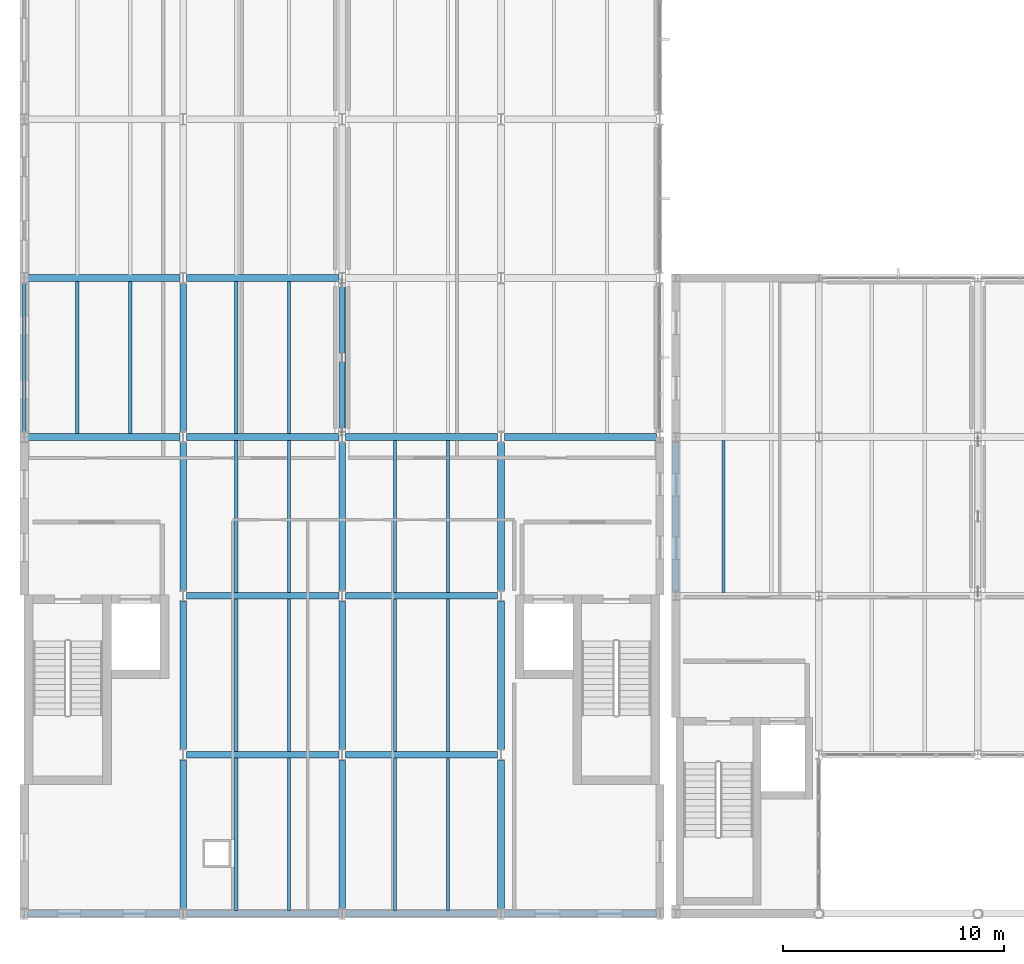
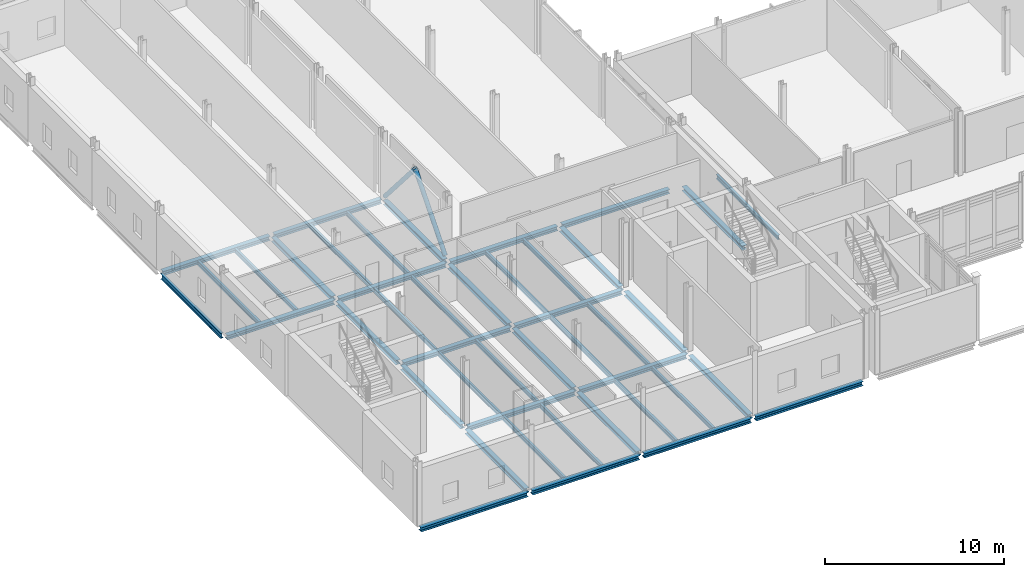
# One storey, part 12 of 76: 44 beams, 2 members.
"""IFC4 building model written with IfcOpenShell, lengths in metres."""

import ifcopenshell
import ifcopenshell.guid

model = None  # the IFC model being written
_history = None  # IfcOwnerHistory: only IFC2X3 demands one
_inside = {}  # id of a spatial element -> (the spatial element, [elements in it])
_under = {}  # id of a project, library or spatial element -> (it, [spatial elements below it])
_declared = {}  # id of a project -> (the project, [libraries it declares])
_typed = {}  # id of a type object -> (the type object, [elements of that type])
_made_of = {}  # id of a material, layer set ... -> (it, [elements and type objects made of it])


def new_model(schema):
    """Start an empty IFC model of exactly this schema.

    Asked for "IFC4X3", IfcOpenShell would pick the latest addendum, in which some entities
    have other attributes; the version numbers below select the first issue.
    IFC2X3 requires an IfcOwnerHistory on every rooted entity: one is made here for all.
    """
    global model, _history
    if schema == "IFC4X3":
        model = ifcopenshell.file(schema_version=(4, 3, 0, 0))
    else:
        model = ifcopenshell.file(schema=schema)
    _inside.clear()
    _under.clear()
    _declared.clear()
    _typed.clear()
    _made_of.clear()
    _history = None
    if model.schema == "IFC2X3":
        org = make("IfcOrganization", Name="unknown")
        user = make(
            "IfcPersonAndOrganization",
            ThePerson=make("IfcPerson", FamilyName="unknown"),
            TheOrganization=org,
        )
        app = make(
            "IfcApplication",
            ApplicationDeveloper=org,
            Version="unknown",
            ApplicationFullName="unknown",
            ApplicationIdentifier="unknown",
        )
        _history = make(
            "IfcOwnerHistory",
            OwningUser=user,
            OwningApplication=app,
            ChangeAction="ADDED",
            CreationDate=0,
        )
    return model


def make(cls, **values):
    """One entity of the class cls with the attributes given. An attribute that is None is left unset."""
    return model.create_entity(
        cls, **{name: value for name, value in values.items() if value is not None}
    )


def rooted(cls, **values):
    """An entity with a GlobalId (a new one), such as an element, a storey or a relation."""
    return make(cls, GlobalId=ifcopenshell.guid.new(), OwnerHistory=_history, **values)


def si_unit(unit_type, name, prefix=None):
    """IfcSIUnit, for example si_unit("LENGTHUNIT", "METRE", prefix="MILLI")."""
    return make("IfcSIUnit", UnitType=unit_type, Prefix=prefix, Name=name)


def assignment(units):
    """IfcUnitAssignment: the units of a project."""
    return None if units is None else make("IfcUnitAssignment", Units=units)


def point(xyz):
    """IfcCartesianPoint."""
    return None if xyz is None else make("IfcCartesianPoint", Coordinates=xyz)


def direction(xyz):
    """IfcDirection."""
    return None if xyz is None else make("IfcDirection", DirectionRatios=xyz)


def frame(location, z_axis=None, x_axis=None):
    """IfcAxis2Placement3D, a coordinate frame: its origin and axes. An axis left out is left unset."""
    return make(
        "IfcAxis2Placement3D",
        Location=point(location),
        Axis=direction(z_axis),
        RefDirection=direction(x_axis),
    )


def frame_2d(location, x_axis=None):
    """IfcAxis2Placement2D, a coordinate frame in the plane: its origin and x axis."""
    return make(
        "IfcAxis2Placement2D", Location=point(location), RefDirection=direction(x_axis)
    )


def origin():
    """The frame at (0, 0, 0) with its axes left unset."""
    return frame((0.0, 0.0, 0.0))


def origin_2d():
    """The frame at (0, 0) in the plane with its x axis left unset."""
    return frame_2d((0.0, 0.0))


def place(relative_to, where):
    """IfcLocalPlacement: puts the frame where relative to a parent placement (None: the world)."""
    return make(
        "IfcLocalPlacement", PlacementRelTo=relative_to, RelativePlacement=where
    )


def context(
    kind, dimensions, precision=None, world=None, true_north=None, identifier=None
):
    """IfcGeometricRepresentationContext, for example the 3D "Model" context."""
    return make(
        "IfcGeometricRepresentationContext",
        ContextIdentifier=identifier,
        ContextType=kind,
        CoordinateSpaceDimension=dimensions,
        Precision=precision,
        WorldCoordinateSystem=world,
        TrueNorth=true_north,
    )


def subcontext(parent, identifier, kind, view, scale=None):
    """IfcGeometricRepresentationSubContext, for example "Body" below "Model"."""
    return make(
        "IfcGeometricRepresentationSubContext",
        ContextIdentifier=identifier,
        ContextType=kind,
        ParentContext=parent,
        TargetScale=scale,
        TargetView=view,
    )


def project(units=None, contexts=None):
    """IfcProject with its units and contexts."""
    return rooted(
        "IfcProject",
        Name="project",
        RepresentationContexts=contexts,
        UnitsInContext=assignment(units),
    )


def spatial(cls, under=None, at=None, **own):
    """A site, building, storey or space (cls), placed at a placement, below another one or the project."""
    s = rooted(cls, ObjectPlacement=at, **own)
    if under is not None:
        _under.setdefault(under.id(), (under, []))[1].append(s)
    return s


def profile(cls, at=None, kind="AREA", **sizes):
    """A parametric profile (cls). Its sizes go by their IFC names, for example OverallWidth=200.0."""
    return make(cls, ProfileType=kind, Position=at, **sizes)


def hollow_circle(**sizes):
    """IfcCircleHollowProfileDef."""
    return profile("IfcCircleHollowProfileDef", **sizes)


def i_section(**sizes):
    """IfcIShapeProfileDef."""
    return profile("IfcIShapeProfileDef", **sizes)


def extrude(swept, where, along, depth):
    """IfcExtrudedAreaSolid: the profile swept, set in the frame where, extruded along a direction by depth."""
    return make(
        "IfcExtrudedAreaSolid",
        SweptArea=swept,
        Position=where,
        ExtrudedDirection=direction(along),
        Depth=depth,
    )


def shape(context_of_items, identifier, shape_type, items):
    """IfcShapeRepresentation: the items that make up one representation, for example the "Body"."""
    return make(
        "IfcShapeRepresentation",
        ContextOfItems=context_of_items,
        RepresentationIdentifier=identifier,
        RepresentationType=shape_type,
        Items=items,
    )


def material(Name=None, Category=None):
    """IfcMaterial."""
    return make("IfcMaterial", Name=Name, Category=Category)


def material_profile(
    of_material, cross_section, Name=None, Category=None, Priority=None
):
    """IfcMaterialProfile: a cross section and its material."""
    return make(
        "IfcMaterialProfile",
        Name=Name,
        Material=of_material,
        Profile=cross_section,
        Priority=Priority,
        Category=Category,
    )


def profile_set(profiles, Name=None, composite=None):
    """IfcMaterialProfileSet."""
    return make(
        "IfcMaterialProfileSet",
        Name=Name,
        MaterialProfiles=profiles,
        CompositeProfile=composite,
    )


def made_of(thing, what):
    """Note that an element or type object is made of a material, layer set ...; save() writes the relation."""
    if what is not None:
        _made_of.setdefault(what.id(), (what, []))[1].append(thing)
    return thing


def type_object(cls, material=None, **own):
    """A type object (cls), such as IfcWallType, which elements share."""
    return made_of(rooted(cls, **own), material)


def element(
    cls,
    number,
    at=None,
    inside=None,
    cuts=None,
    type_object=None,
    material=None,
    context=None,
    identifier="Body",
    shape_type=None,
    held_by="IfcProductDefinitionShape",
    body=None,
    shapes=None,
    **own,
):
    """One element of the class cls, such as IfcWall. Its Tag is "e" and its number.

    at: its placement. inside: the storey or other place that contains it. cuts: it is an
    opening in that element (IfcRelVoidsElement). A single representation is given by context,
    identifier, shape_type and body (its items); several are given by shapes. held_by: the class
    of the entity that holds the representations. save() writes the other relations.
    """
    e = rooted(cls, Tag="e%d" % number, ObjectPlacement=at, **own)
    if body is not None:
        shapes = [shape(context, identifier, shape_type, body)]
    if shapes is not None:
        e.Representation = make(held_by, Representations=shapes)
    if inside is not None:
        _inside.setdefault(inside.id(), (inside, []))[1].append(e)
    if cuts is not None:
        rooted(
            "IfcRelVoidsElement", RelatingBuildingElement=cuts, RelatedOpeningElement=e
        )
    if type_object is not None:
        _typed.setdefault(type_object.id(), (type_object, []))[1].append(e)
    return made_of(e, material)


def aggregate(whole, parts):
    """IfcRelAggregates: a whole, such as a stair, and the parts it consists of."""
    return rooted("IfcRelAggregates", RelatingObject=whole, RelatedObjects=parts)


def save(model, path):
    """Write the relations noted so far, then the file.

    IfcRelAggregates (storeys below a building ...), IfcRelContainedInSpatialStructure (elements
    in a storey), IfcRelDefinesByType, IfcRelAssociatesMaterial and IfcRelDeclares: one each for
    every whole, place, type object, material and project.
    """
    for whole, parts in _under.values():
        aggregate(whole, parts)
    for where, things in _inside.values():
        rooted(
            "IfcRelContainedInSpatialStructure",
            RelatedElements=things,
            RelatingStructure=where,
        )
    for kind, things in _typed.values():
        rooted("IfcRelDefinesByType", RelatedObjects=things, RelatingType=kind)
    for what, things in _made_of.values():
        rooted("IfcRelAssociatesMaterial", RelatedObjects=things, RelatingMaterial=what)
    for by, libraries in _declared.values():
        rooted("IfcRelDeclares", RelatingContext=by, RelatedDefinitions=libraries)
    model.write(path)


model = new_model("IFC4")

# Units and contexts
model_context = context("Model", 3, precision=1e-05, world=origin(), true_north=direction((0.0, 1.0)))
body_context = subcontext(model_context, "Body", "Model", "MODEL_VIEW")
ifc_project = project(units=[si_unit("LENGTHUNIT", "METRE"), si_unit("AREAUNIT", "SQUARE_METRE"), si_unit("VOLUMEUNIT", "CUBIC_METRE"), si_unit("PLANEANGLEUNIT", "RADIAN"), si_unit("MASSUNIT", "GRAM", prefix="KILO")], contexts=[model_context])

# Site, building, storey
site_placement = place(None, origin())
site = spatial("IfcSite", under=ifc_project, at=site_placement, CompositionType="ELEMENT")
building_placement = place(site_placement, origin())
building = spatial("IfcBuilding", under=site, at=building_placement, Name="Zarrinpeak Specialist Clinic", CompositionType="ELEMENT")
storey_placement = place(building_placement, frame((0.0, 0.0, 5.199951171875)))
storey = spatial("IfcBuildingStorey", under=building, at=storey_placement, Name="L01", CompositionType="ELEMENT", Elevation=5.199951171875)

# Beams
ifc_material = material(Name="Steel S355", Category="steel")
ifc_material_profile_1 = material_profile(ifc_material, i_section(OverallWidth=0.300048828125, OverallDepth=0.2900390625, WebThickness=0.008544921875, FlangeThickness=0.013916015625, FilletRadius=0.027099609375, at=origin_2d()), Name="HEA 300")
ifc_profile_set_1 = profile_set([ifc_material_profile_1], Name="Steel S355")
beam_type_1 = type_object("IfcBeamType", Name="BM-HEA300", PredefinedType="BEAM", material=ifc_profile_set_1)
for number, where, z_axis, x_axis, name in (
    (1, (0.14794921875, 0.0, -0.375), (1.0, 0.0, 0.0), (0.0, 1.0, 0.0), "L01 Primary Floor Girder BM-L01-X0712"),
    (2, (7.347900390625, 0.0, -0.375), (1.0, 0.0, 0.0), (0.0, 1.0, 0.0), "L01 Primary Floor Girder BM-L01-X0713"),
):
    element("IfcBeam", number, at=place(storey_placement, frame(where, z_axis=z_axis, x_axis=x_axis)), inside=storey, type_object=beam_type_1, Name=name, PredefinedType="BEAM", context=body_context, shape_type="SweptSolid", body=[
        extrude(i_section(OverallWidth=0.300048828125, OverallDepth=0.2900390625, WebThickness=0.008544921875, FlangeThickness=0.013916015625, FilletRadius=0.027099609375, at=origin_2d()), origin(), (0.0, 0.0, 1.0), 6.904052734375),
    ])
beam_1_placement = place(storey_placement, frame((14.548095703125, 0.0, -0.375), z_axis=(1.0, 0.0, 0.0), x_axis=(0.0, 1.0, 0.0)))
element("IfcBeam", 3, at=beam_1_placement, inside=storey, type_object=beam_type_1, Name="L01 Primary Floor Girder BM-L01-X0714", PredefinedType="BEAM", context=body_context, shape_type="SweptSolid", body=[
    extrude(i_section(OverallWidth=0.300048828125, OverallDepth=0.2900390625, WebThickness=0.008544921875, FlangeThickness=0.013916015625, FilletRadius=0.027099609375, at=origin_2d()), origin(), (0.0, 0.0, 1.0), 6.90380859375),
])
for number, where, z_axis, x_axis, name in (
    (4, (21.748046875, 0.0, -0.375), (1.0, 0.0, 0.0), (0.0, 1.0, 0.0), "L01 Primary Floor Girder BM-L01-X0715"),
    (5, (7.347900390625, 7.199951171875, -0.375), (1.0, 0.0, 0.0), (0.0, 1.0, 0.0), "L01 Primary Floor Girder BM-L01-X0724"),
):
    element("IfcBeam", number, at=place(storey_placement, frame(where, z_axis=z_axis, x_axis=x_axis)), inside=storey, type_object=beam_type_1, Name=name, PredefinedType="BEAM", context=body_context, shape_type="SweptSolid", body=[
        extrude(i_section(OverallWidth=0.300048828125, OverallDepth=0.2900390625, WebThickness=0.008544921875, FlangeThickness=0.013916015625, FilletRadius=0.027099609375, at=origin_2d()), origin(), (0.0, 0.0, 1.0), 6.904052734375),
    ])
beam_2_placement = place(storey_placement, frame((14.548095703125, 7.199951171875, -0.375), z_axis=(1.0, 0.0, 0.0), x_axis=(0.0, 1.0, 0.0)))
element("IfcBeam", 6, at=beam_2_placement, inside=storey, type_object=beam_type_1, Name="L01 Primary Floor Girder BM-L01-X0725", PredefinedType="BEAM", context=body_context, shape_type="SweptSolid", body=[
    extrude(i_section(OverallWidth=0.300048828125, OverallDepth=0.2900390625, WebThickness=0.008544921875, FlangeThickness=0.013916015625, FilletRadius=0.027099609375, at=origin_2d()), origin(), (0.0, 0.0, 1.0), 6.90380859375),
])
beam_3_placement = place(storey_placement, frame((7.347900390625, 14.39990234375, -0.375), z_axis=(1.0, 0.0, 0.0), x_axis=(0.0, 1.0, 0.0)))
element("IfcBeam", 7, at=beam_3_placement, inside=storey, type_object=beam_type_1, Name="L01 Primary Floor Girder BM-L01-X0729", PredefinedType="BEAM", context=body_context, shape_type="SweptSolid", body=[
    extrude(i_section(OverallWidth=0.300048828125, OverallDepth=0.2900390625, WebThickness=0.008544921875, FlangeThickness=0.013916015625, FilletRadius=0.027099609375, at=origin_2d()), origin(), (0.0, 0.0, 1.0), 6.904052734375),
])
beam_4_placement = place(storey_placement, frame((14.548095703125, 14.39990234375, -0.375), z_axis=(1.0, 0.0, 0.0), x_axis=(0.0, 1.0, 0.0)))
element("IfcBeam", 8, at=beam_4_placement, inside=storey, type_object=beam_type_1, Name="L01 Primary Floor Girder BM-L01-X0730", PredefinedType="BEAM", context=body_context, shape_type="SweptSolid", body=[
    extrude(i_section(OverallWidth=0.300048828125, OverallDepth=0.2900390625, WebThickness=0.008544921875, FlangeThickness=0.013916015625, FilletRadius=0.027099609375, at=origin_2d()), origin(), (0.0, 0.0, 1.0), 6.90380859375),
])
for number, where, z_axis, x_axis, name in (
    (9, (0.14794921875, 21.60009765625, -0.375), (1.0, 0.0, 0.0), (0.0, 1.0, 0.0), "L01 Primary Floor Girder BM-L01-X0739"),
    (10, (7.347900390625, 21.60009765625, -0.375), (1.0, 0.0, 0.0), (0.0, 1.0, 0.0), "L01 Primary Floor Girder BM-L01-X0740"),
):
    element("IfcBeam", number, at=place(storey_placement, frame(where, z_axis=z_axis, x_axis=x_axis)), inside=storey, type_object=beam_type_1, Name=name, PredefinedType="BEAM", context=body_context, shape_type="SweptSolid", body=[
        extrude(i_section(OverallWidth=0.300048828125, OverallDepth=0.2900390625, WebThickness=0.008544921875, FlangeThickness=0.013916015625, FilletRadius=0.027099609375, at=origin_2d()), origin(), (0.0, 0.0, 1.0), 6.904052734375),
    ])
beam_5_placement = place(storey_placement, frame((14.548095703125, 21.60009765625, -0.375), z_axis=(1.0, 0.0, 0.0), x_axis=(0.0, 1.0, 0.0)))
element("IfcBeam", 11, at=beam_5_placement, inside=storey, type_object=beam_type_1, Name="L01 Primary Floor Girder BM-L01-X0741", PredefinedType="BEAM", context=body_context, shape_type="SweptSolid", body=[
    extrude(i_section(OverallWidth=0.300048828125, OverallDepth=0.2900390625, WebThickness=0.008544921875, FlangeThickness=0.013916015625, FilletRadius=0.027099609375, at=origin_2d()), origin(), (0.0, 0.0, 1.0), 6.90380859375),
])
for number, where, z_axis, x_axis, name in (
    (12, (21.748046875, 21.60009765625, -0.375), (1.0, 0.0, 0.0), (0.0, 1.0, 0.0), "L01 Primary Floor Girder BM-L01-X0742"),
    (13, (0.14794921875, 28.800048828125, -0.375), (1.0, 0.0, 0.0), (0.0, 1.0, 0.0), "L01 Primary Floor Girder BM-L01-X0751"),
    (14, (7.347900390625, 28.800048828125, -0.375), (1.0, 0.0, 0.0), (0.0, 1.0, 0.0), "L01 Primary Floor Girder BM-L01-X0752"),
):
    element("IfcBeam", number, at=place(storey_placement, frame(where, z_axis=z_axis, x_axis=x_axis)), inside=storey, type_object=beam_type_1, Name=name, PredefinedType="BEAM", context=body_context, shape_type="SweptSolid", body=[
        extrude(i_section(OverallWidth=0.300048828125, OverallDepth=0.2900390625, WebThickness=0.008544921875, FlangeThickness=0.013916015625, FilletRadius=0.027099609375, at=origin_2d()), origin(), (0.0, 0.0, 1.0), 6.904052734375),
    ])
beam_6_placement = place(storey_placement, frame((7.199951171875, 0.248046875, -0.375), z_axis=(0.0, 1.0, 0.0), x_axis=(-1.0, 0.0, 0.0)))
element("IfcBeam", 15, at=beam_6_placement, inside=storey, type_object=beam_type_1, Name="L01 Primary Beam BM-L01-Y0838", PredefinedType="BEAM", context=body_context, shape_type="SweptSolid", body=[
    extrude(i_section(OverallWidth=0.300048828125, OverallDepth=0.2900390625, WebThickness=0.008544921875, FlangeThickness=0.013916015625, FilletRadius=0.027099609375, at=origin_2d()), origin(), (0.0, 0.0, 1.0), 6.703857421875),
])
for number, where, z_axis, x_axis, name in (
    (16, (7.199951171875, 7.447998046875, -0.375), (0.0, 1.0, 0.0), (-1.0, 0.0, 0.0), "L01 Primary Beam BM-L01-Y0839"),
    (17, (7.199951171875, 14.64794921875, -0.375), (0.0, 1.0, 0.0), (-1.0, 0.0, 0.0), "L01 Primary Beam BM-L01-Y0840"),
    (18, (7.199951171875, 21.847900390625, -0.375), (0.0, 1.0, 0.0), (-1.0, 0.0, 0.0), "L01 Primary Beam BM-L01-Y0841"),
):
    element("IfcBeam", number, at=place(storey_placement, frame(where, z_axis=z_axis, x_axis=x_axis)), inside=storey, type_object=beam_type_1, Name=name, PredefinedType="BEAM", context=body_context, shape_type="SweptSolid", body=[
        extrude(i_section(OverallWidth=0.300048828125, OverallDepth=0.2900390625, WebThickness=0.008544921875, FlangeThickness=0.013916015625, FilletRadius=0.027099609375, at=origin_2d()), origin(), (0.0, 0.0, 1.0), 6.7041015625),
    ])
beam_7_placement = place(storey_placement, frame((14.39990234375, 0.248046875, -0.375), z_axis=(0.0, 1.0, 0.0), x_axis=(-1.0, 0.0, 0.0)))
element("IfcBeam", 19, at=beam_7_placement, inside=storey, type_object=beam_type_1, Name="L01 Primary Beam BM-L01-Y0850", PredefinedType="BEAM", context=body_context, shape_type="SweptSolid", body=[
    extrude(i_section(OverallWidth=0.300048828125, OverallDepth=0.2900390625, WebThickness=0.008544921875, FlangeThickness=0.013916015625, FilletRadius=0.027099609375, at=origin_2d()), origin(), (0.0, 0.0, 1.0), 6.703857421875),
])
for number, where, z_axis, x_axis, name in (
    (20, (14.39990234375, 7.447998046875, -0.375), (0.0, 1.0, 0.0), (-1.0, 0.0, 0.0), "L01 Primary Beam BM-L01-Y0851"),
    (21, (14.39990234375, 14.64794921875, -0.375), (0.0, 1.0, 0.0), (-1.0, 0.0, 0.0), "L01 Primary Beam BM-L01-Y0852"),
    (22, (14.39990234375, 21.847900390625, -0.375), (0.0, 1.0, 0.0), (-1.0, 0.0, 0.0), "L01 Primary Beam BM-L01-Y0853"),
):
    element("IfcBeam", number, at=place(storey_placement, frame(where, z_axis=z_axis, x_axis=x_axis)), inside=storey, type_object=beam_type_1, Name=name, PredefinedType="BEAM", context=body_context, shape_type="SweptSolid", body=[
        extrude(i_section(OverallWidth=0.300048828125, OverallDepth=0.2900390625, WebThickness=0.008544921875, FlangeThickness=0.013916015625, FilletRadius=0.027099609375, at=origin_2d()), origin(), (0.0, 0.0, 1.0), 6.7041015625),
    ])
beam_8_placement = place(storey_placement, frame((21.60009765625, 0.248046875, -0.375), z_axis=(0.0, 1.0, 0.0), x_axis=(-1.0, 0.0, 0.0)))
element("IfcBeam", 23, at=beam_8_placement, inside=storey, type_object=beam_type_1, Name="L01 Primary Beam BM-L01-Y0862", PredefinedType="BEAM", context=body_context, shape_type="SweptSolid", body=[
    extrude(i_section(OverallWidth=0.300048828125, OverallDepth=0.2900390625, WebThickness=0.008544921875, FlangeThickness=0.013916015625, FilletRadius=0.027099609375, at=origin_2d()), origin(), (0.0, 0.0, 1.0), 6.703857421875),
])
for number, where, z_axis, x_axis, name in (
    (24, (21.60009765625, 7.447998046875, -0.375), (0.0, 1.0, 0.0), (-1.0, 0.0, 0.0), "L01 Primary Beam BM-L01-Y0863"),
    (25, (21.60009765625, 14.64794921875, -0.375), (0.0, 1.0, 0.0), (-1.0, 0.0, 0.0), "L01 Primary Beam BM-L01-Y0864"),
):
    element("IfcBeam", number, at=place(storey_placement, frame(where, z_axis=z_axis, x_axis=x_axis)), inside=storey, type_object=beam_type_1, Name=name, PredefinedType="BEAM", context=body_context, shape_type="SweptSolid", body=[
        extrude(i_section(OverallWidth=0.300048828125, OverallDepth=0.2900390625, WebThickness=0.008544921875, FlangeThickness=0.013916015625, FilletRadius=0.027099609375, at=origin_2d()), origin(), (0.0, 0.0, 1.0), 6.7041015625),
    ])
beam_9_placement = place(storey_placement, frame((29.52001953125, 14.623046875, -0.375), z_axis=(0.0, 1.0, 0.0), x_axis=(-1.0, 0.0, 0.0)))
element("IfcBeam", 26, at=beam_9_placement, inside=storey, type_object=beam_type_1, Name="L01 Primary Beam BM-L01-Y0881", PredefinedType="BEAM", context=body_context, shape_type="SweptSolid", body=[
    extrude(i_section(OverallWidth=0.300048828125, OverallDepth=0.2900390625, WebThickness=0.008544921875, FlangeThickness=0.013916015625, FilletRadius=0.027099609375, at=origin_2d()), origin(), (0.0, 0.0, 1.0), 6.75390625),
])
ifc_material_profile_2 = material_profile(ifc_material, i_section(OverallWidth=0.14990234375, OverallDepth=0.300048828125, WebThickness=0.007080078125, FlangeThickness=0.0107421875, FilletRadius=0.014892578125, at=origin_2d()), Name="IPE 300")
ifc_profile_set_2 = profile_set([ifc_material_profile_2], Name="Steel S355")
beam_type_2 = type_object("IfcBeamType", Name="BM-JST300", PredefinedType="JOIST", material=ifc_profile_set_2)
for number, where, z_axis, x_axis, name in (
    (27, (2.39990234375, 21.748046875, -0.3798828125), (0.0, 1.0, 0.0), (-1.0, 0.0, 0.0), "L01 Composite Floor Joist JST-L01-0945"),
    (28, (4.800048828125, 21.748046875, -0.3798828125), (0.0, 1.0, 0.0), (-1.0, 0.0, 0.0), "L01 Composite Floor Joist JST-L01-0946"),
    (29, (9.60009765625, 0.14794921875, -0.3798828125), (0.0, 1.0, 0.0), (-1.0, 0.0, 0.0), "L01 Composite Floor Joist JST-L01-0953"),
    (30, (12.0, 0.14794921875, -0.3798828125), (0.0, 1.0, 0.0), (-1.0, 0.0, 0.0), "L01 Composite Floor Joist JST-L01-0954"),
    (31, (9.60009765625, 7.347900390625, -0.3798828125), (0.0, 1.0, 0.0), (-1.0, 0.0, 0.0), "L01 Composite Floor Joist JST-L01-0955"),
    (32, (12.0, 7.347900390625, -0.3798828125), (0.0, 1.0, 0.0), (-1.0, 0.0, 0.0), "L01 Composite Floor Joist JST-L01-0956"),
):
    element("IfcBeam", number, at=place(storey_placement, frame(where, z_axis=z_axis, x_axis=x_axis)), inside=storey, type_object=beam_type_2, Name=name, PredefinedType="JOIST", context=body_context, shape_type="SweptSolid", body=[
        extrude(i_section(OverallWidth=0.14990234375, OverallDepth=0.300048828125, WebThickness=0.007080078125, FlangeThickness=0.0107421875, FilletRadius=0.014892578125, at=origin_2d()), origin(), (0.0, 0.0, 1.0), 6.904052734375),
    ])
for number, where, z_axis, x_axis, name in (
    (33, (9.60009765625, 14.548095703125, -0.3798828125), (0.0, 1.0, 0.0), (-1.0, 0.0, 0.0), "L01 Composite Floor Joist JST-L01-0957"),
    (34, (12.0, 14.548095703125, -0.3798828125), (0.0, 1.0, 0.0), (-1.0, 0.0, 0.0), "L01 Composite Floor Joist JST-L01-0958"),
):
    element("IfcBeam", number, at=place(storey_placement, frame(where, z_axis=z_axis, x_axis=x_axis)), inside=storey, type_object=beam_type_2, Name=name, PredefinedType="JOIST", context=body_context, shape_type="SweptSolid", body=[
        extrude(i_section(OverallWidth=0.14990234375, OverallDepth=0.300048828125, WebThickness=0.007080078125, FlangeThickness=0.0107421875, FilletRadius=0.014892578125, at=origin_2d()), origin(), (0.0, 0.0, 1.0), 6.90380859375),
    ])
for number, where, z_axis, x_axis, name in (
    (35, (9.60009765625, 21.748046875, -0.3798828125), (0.0, 1.0, 0.0), (-1.0, 0.0, 0.0), "L01 Composite Floor Joist JST-L01-0959"),
    (36, (12.0, 21.748046875, -0.3798828125), (0.0, 1.0, 0.0), (-1.0, 0.0, 0.0), "L01 Composite Floor Joist JST-L01-0960"),
    (37, (16.800048828125, 0.14794921875, -0.3798828125), (0.0, 1.0, 0.0), (-1.0, 0.0, 0.0), "L01 Composite Floor Joist JST-L01-0967"),
    (38, (19.199951171875, 0.14794921875, -0.3798828125), (0.0, 1.0, 0.0), (-1.0, 0.0, 0.0), "L01 Composite Floor Joist JST-L01-0968"),
    (39, (16.800048828125, 7.347900390625, -0.3798828125), (0.0, 1.0, 0.0), (-1.0, 0.0, 0.0), "L01 Composite Floor Joist JST-L01-0969"),
    (40, (19.199951171875, 7.347900390625, -0.3798828125), (0.0, 1.0, 0.0), (-1.0, 0.0, 0.0), "L01 Composite Floor Joist JST-L01-0970"),
):
    element("IfcBeam", number, at=place(storey_placement, frame(where, z_axis=z_axis, x_axis=x_axis)), inside=storey, type_object=beam_type_2, Name=name, PredefinedType="JOIST", context=body_context, shape_type="SweptSolid", body=[
        extrude(i_section(OverallWidth=0.14990234375, OverallDepth=0.300048828125, WebThickness=0.007080078125, FlangeThickness=0.0107421875, FilletRadius=0.014892578125, at=origin_2d()), origin(), (0.0, 0.0, 1.0), 6.904052734375),
    ])
for number, where, z_axis, x_axis, name in (
    (41, (16.800048828125, 14.548095703125, -0.3798828125), (0.0, 1.0, 0.0), (-1.0, 0.0, 0.0), "L01 Composite Floor Joist JST-L01-0971"),
    (42, (19.199951171875, 14.548095703125, -0.3798828125), (0.0, 1.0, 0.0), (-1.0, 0.0, 0.0), "L01 Composite Floor Joist JST-L01-0972"),
    (43, (31.679931640625, 14.548095703125, -0.3798828125), (0.0, 1.0, 0.0), (-1.0, 0.0, 0.0), "L01 Composite Floor Joist JST-L01-0989"),
):
    element("IfcBeam", number, at=place(storey_placement, frame(where, z_axis=z_axis, x_axis=x_axis)), inside=storey, type_object=beam_type_2, Name=name, PredefinedType="JOIST", context=body_context, shape_type="SweptSolid", body=[
        extrude(i_section(OverallWidth=0.14990234375, OverallDepth=0.300048828125, WebThickness=0.007080078125, FlangeThickness=0.0107421875, FilletRadius=0.014892578125, at=origin_2d()), origin(), (0.0, 0.0, 1.0), 6.90380859375),
    ])
ifc_material_profile_3 = material_profile(ifc_material, i_section(OverallWidth=0.169921875, OverallDepth=0.360107421875, WebThickness=0.008056640625, FlangeThickness=0.0126953125, FilletRadius=0.01806640625, at=origin_2d()), Name="IPE 360")
ifc_profile_set_3 = profile_set([ifc_material_profile_3], Name="Steel S355")
beam_type_3 = type_object("IfcBeamType", Name="BM-SP360", PredefinedType="SPANDREL", material=ifc_profile_set_3)
beam_10_placement = place(storey_placement, frame((0.0, 21.847900390625, -0.409912109375), z_axis=(0.0, 1.0, 0.0), x_axis=(-1.0, 0.0, 0.0)))
element("IfcBeam", 44, at=beam_10_placement, inside=storey, type_object=beam_type_3, Name="L01 Perimeter Spandrel Beam BM-L01-Y0831", PredefinedType="SPANDREL", context=body_context, shape_type="SweptSolid", body=[
    extrude(i_section(OverallWidth=0.169921875, OverallDepth=0.360107421875, WebThickness=0.008056640625, FlangeThickness=0.0126953125, FilletRadius=0.01806640625, at=origin_2d()), origin(), (0.0, 0.0, 1.0), 6.7041015625),
])

# Members
ifc_material_profile_4 = material_profile(ifc_material, hollow_circle(Radius=0.136474609375, WallThickness=0.012451171875, at=origin_2d()), Name="CHS 273.0x12.5")
ifc_profile_set_4 = profile_set([ifc_material_profile_4], Name="Steel S355")
member_type = type_object("IfcMemberType", Name="MB-BR273", PredefinedType="BRACE", material=ifc_profile_set_4)
for number, where, z_axis, x_axis, name in (
    (45, (14.39990234375, 21.85009765625, 0.005126953125), (0.0, 0.652548167934, 0.757747245805), (-1.0, 0.0, 0.0), "V1 L01 Seismic Concentric Brace CBF-003"),
    (46, (14.39990234375, 28.550048828125, 0.005126953125), (0.0, -0.652575473761, 0.757723730027), (1.0, 0.0, 0.0), "V1 L01 Seismic Concentric Brace CBF-004"),
):
    element("IfcMember", number, at=place(storey_placement, frame(where, z_axis=z_axis, x_axis=x_axis)), inside=storey, type_object=member_type, Name=name, PredefinedType="BRACE", context=body_context, shape_type="SweptSolid", body=[
        extrude(hollow_circle(Radius=0.136474609375, WallThickness=0.012451171875, at=origin_2d()), origin(), (0.0, 0.0, 1.0), 5.133544921875),
    ])

save(model, "model.ifc")
